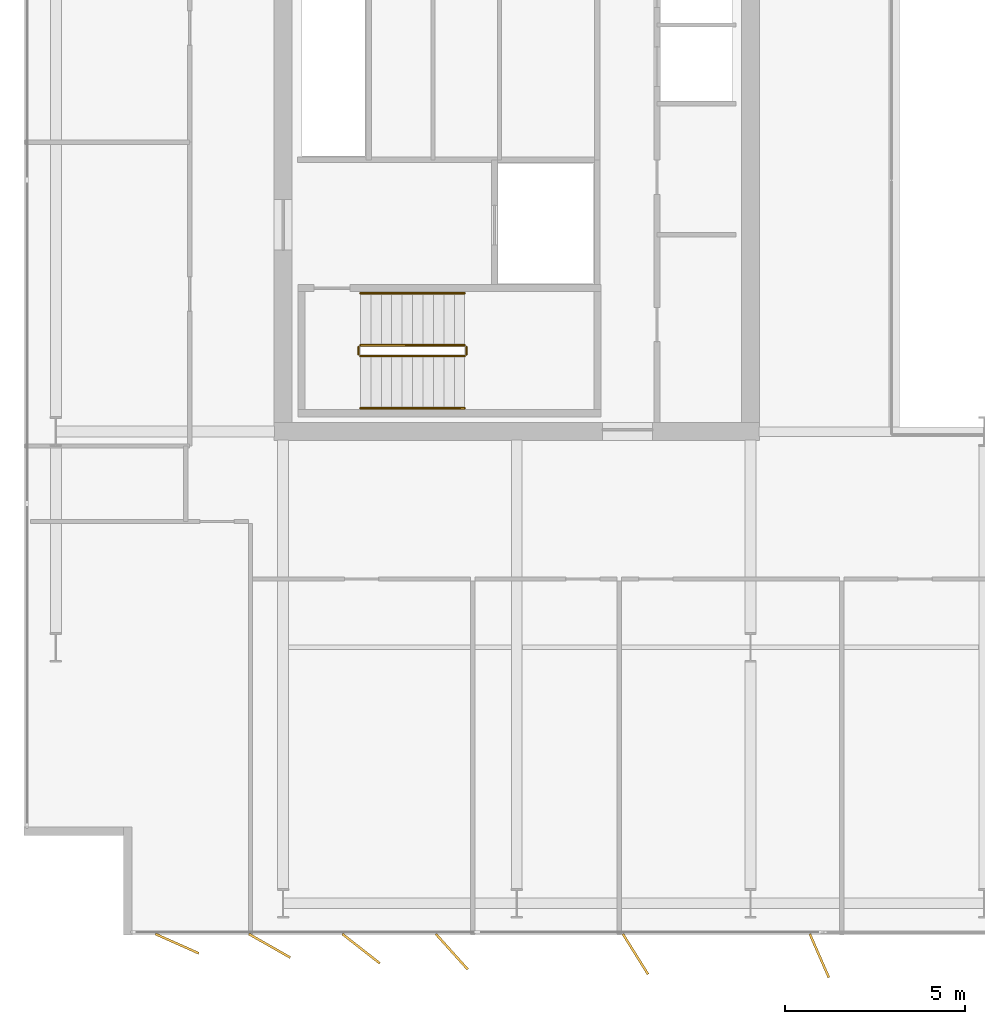
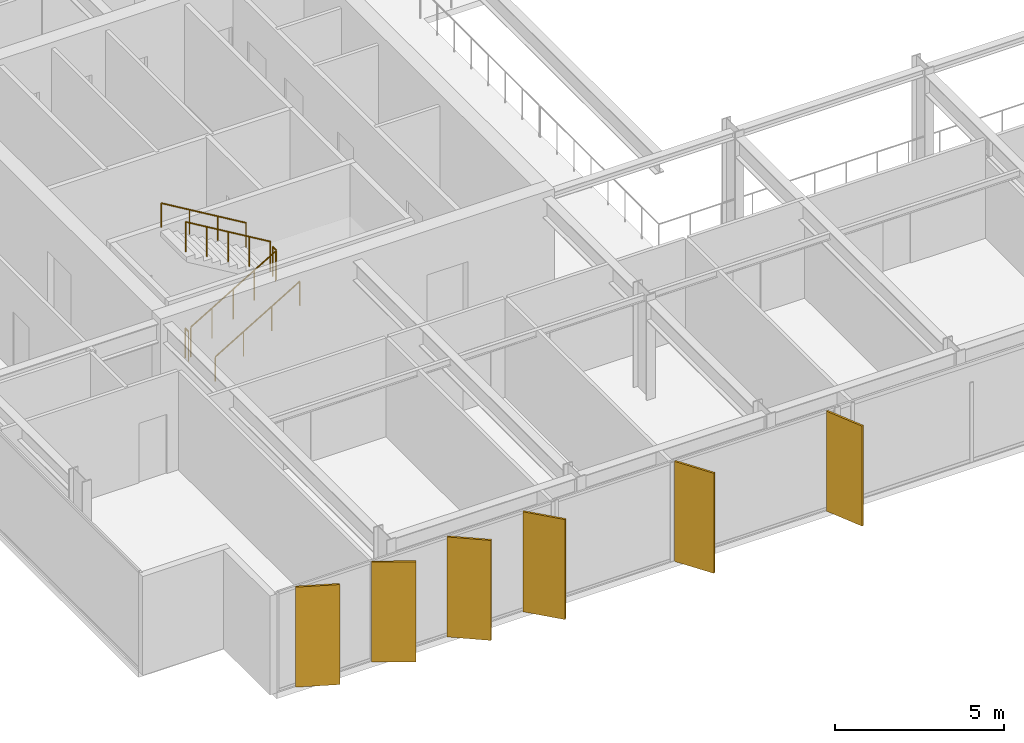
# One storey, part 20 of 23: 6 railings, 6 shading devices.
"""IFC4 building model written with IfcOpenShell, lengths in metres."""

from ifc_helpers import new_model, si_unit, direction, frame, origin, origin_2d, place, context, subcontext, project, spatial, rectangle, circle, extrude, material, layer, layer_set, type_object, element, save


model = new_model("IFC4")

# Units and contexts
model_context = context("Model", 3, precision=1e-05, world=origin(), true_north=direction((0.0, 1.0)))
body_context = subcontext(model_context, "Body", "Model", "MODEL_VIEW")
ifc_project = project(units=[si_unit("LENGTHUNIT", "METRE"), si_unit("AREAUNIT", "SQUARE_METRE"), si_unit("VOLUMEUNIT", "CUBIC_METRE"), si_unit("PLANEANGLEUNIT", "RADIAN"), si_unit("MASSUNIT", "GRAM", prefix="KILO")], contexts=[model_context])

# Site, building, storey
site_placement = place(None, origin())
site = spatial("IfcSite", under=ifc_project, at=site_placement, CompositionType="ELEMENT")
building_placement = place(site_placement, origin())
building = spatial("IfcBuilding", under=site, at=building_placement, Name="Putna Gate Headquarters", CompositionType="ELEMENT")
storey_placement = place(building_placement, frame((0.0, 0.0, 217.60009765625)))
storey = spatial("IfcBuildingStorey", under=building, at=storey_placement, Name="L54", CompositionType="ELEMENT", Elevation=217.60009765625)

# Railings
ifc_material_1 = material(Name="Powder-coated steel stair guardrail", Category="steel")
railing_type_1 = type_object("IfcRailingType", Name="RAIL-STAIR-GUARD-1100", PredefinedType="GUARDRAIL", material=ifc_material_1)
railing_1_placement = place(storey_placement, frame((15.14990234375, 21.10009765625, 0.172607421875)))
element("IfcRailing", 1, at=railing_1_placement, inside=storey, type_object=railing_type_1, Name="L54 ST1 stair guard 1", PredefinedType="GUARDRAIL", context=body_context, shape_type="SweptSolid", body=[
    extrude(circle(Radius=0.02392578125, at=origin_2d()), frame((0.0, 0.0, 1.076171875), z_axis=(0.859160404282, 0.0, 0.51170636083), x_axis=(0.0, 1.0, 0.0)), (0.0, 0.0, 1.0), 3.37548828125),
    extrude(circle(Radius=0.02099609375, at=origin_2d()), origin(), (0.0, 0.0, 1.0), 1.052001953125),
    extrude(circle(Radius=0.02099609375, at=origin_2d()), frame((0.72509765625, 0.0, 0.431884765625)), (0.0, 0.0, 1.0), 1.052001953125),
    extrude(circle(Radius=0.02099609375, at=origin_2d()), frame((1.4501953125, 0.0, 0.86376953125)), (0.0, 0.0, 1.0), 1.052001953125),
    extrude(circle(Radius=0.02099609375, at=origin_2d()), frame((2.175048828125, 0.0, 1.29541015625)), (0.0, 0.0, 1.0), 1.052001953125),
    extrude(circle(Radius=0.02099609375, at=origin_2d()), frame((2.900146484375, 0.0, 1.727294921875)), (0.0, 0.0, 1.0), 1.052001953125),
])
railing_2_placement = place(storey_placement, frame((18.10009765625, 21.14990234375, 1.89990234375)))
element("IfcRailing", 2, at=railing_2_placement, inside=storey, type_object=railing_type_1, Name="L54 ST1 stair guard 2", PredefinedType="GUARDRAIL", context=body_context, shape_type="SweptSolid", body=[
    extrude(circle(Radius=0.02392578125, at=origin_2d()), frame((0.0, 0.0, 1.076171875), z_axis=(0.0, 1.0, 0.0), x_axis=(-1.0, 0.0, 0.0)), (0.0, 0.0, 1.0), 0.2001953125),
    extrude(circle(Radius=0.02099609375, at=origin_2d()), origin(), (0.0, 0.0, 1.0), 1.052001953125),
    extrude(circle(Radius=0.02099609375, at=origin_2d()), frame((0.0, 0.2001953125, 0.0)), (0.0, 0.0, 1.0), 1.052001953125),
])
railing_3_placement = place(storey_placement, frame((18.050048828125, 21.39990234375, 2.072509765625)))
element("IfcRailing", 3, at=railing_3_placement, inside=storey, type_object=railing_type_1, Name="L54 ST1 stair guard 3", PredefinedType="GUARDRAIL", context=body_context, shape_type="SweptSolid", body=[
    extrude(circle(Radius=0.02392578125, at=origin_2d()), frame((0.0, 0.0, 1.076171875), z_axis=(-0.859160404282, 0.0, 0.51170636083), x_axis=(0.0, -1.0, 0.0)), (0.0, 0.0, 1.0), 3.37548828125),
    extrude(circle(Radius=0.02099609375, at=origin_2d()), origin(), (0.0, 0.0, 1.0), 1.052001953125),
    extrude(circle(Radius=0.02099609375, at=origin_2d()), frame((-0.72509765625, 0.0, 0.431884765625)), (0.0, 0.0, 1.0), 1.052001953125),
    extrude(circle(Radius=0.02099609375, at=origin_2d()), frame((-1.4501953125, 0.0, 0.86376953125)), (0.0, 0.0, 1.0), 1.052001953125),
    extrude(circle(Radius=0.02099609375, at=origin_2d()), frame((-2.175048828125, 0.0, 1.29541015625)), (0.0, 0.0, 1.0), 1.052001953125),
    extrude(circle(Radius=0.02099609375, at=origin_2d()), frame((-2.900146484375, 0.0, 1.727294921875)), (0.0, 0.0, 1.0), 1.052001953125),
])
railing_4_placement = place(storey_placement, frame((15.10009765625, 21.14990234375, 0.0)))
element("IfcRailing", 4, at=railing_4_placement, inside=storey, type_object=railing_type_1, Name="L54 ST1 stair guard 4", PredefinedType="GUARDRAIL", context=body_context, shape_type="SweptSolid", body=[
    extrude(circle(Radius=0.02392578125, at=origin_2d()), frame((0.0, 0.0, 1.076171875), z_axis=(0.0, 1.0, 0.0), x_axis=(-1.0, 0.0, 0.0)), (0.0, 0.0, 1.0), 0.2001953125),
    extrude(circle(Radius=0.02099609375, at=origin_2d()), origin(), (0.0, 0.0, 1.0), 1.052001953125),
    extrude(circle(Radius=0.02099609375, at=origin_2d()), frame((0.0, 0.2001953125, 0.0)), (0.0, 0.0, 1.0), 1.052001953125),
])
ifc_material_2 = material(Name="Brushed stainless steel handrail", Category="steel")
railing_type_2 = type_object("IfcRailingType", Name="RAIL-STAIR-HAND-900", PredefinedType="HANDRAIL", material=ifc_material_2)
railing_5_placement = place(storey_placement, frame((15.14990234375, 19.64990234375, 0.172607421875)))
element("IfcRailing", 5, at=railing_5_placement, inside=storey, type_object=railing_type_2, Name="L54 ST1 stair handrail 1", PredefinedType="HANDRAIL", context=body_context, shape_type="SweptSolid", body=[
    extrude(circle(Radius=0.02392578125, at=origin_2d()), frame((0.0, 0.0, 0.8759765625), z_axis=(0.859160404282, 0.0, 0.51170636083), x_axis=(0.0, 1.0, 0.0)), (0.0, 0.0, 1.0), 3.37548828125),
    extrude(circle(Radius=0.02099609375, at=origin_2d()), origin(), (0.0, 0.0, 1.0), 0.851806640625),
    extrude(circle(Radius=0.02099609375, at=origin_2d()), frame((0.966796875, 0.0, 0.57568359375)), (0.0, 0.0, 1.0), 0.851806640625),
    extrude(circle(Radius=0.02099609375, at=origin_2d()), frame((1.933349609375, 0.0, 1.151611328125)), (0.0, 0.0, 1.0), 0.851806640625),
    extrude(circle(Radius=0.02099609375, at=origin_2d()), frame((2.900146484375, 0.0, 1.727294921875)), (0.0, 0.0, 1.0), 0.851806640625),
])
railing_6_placement = place(storey_placement, frame((18.050048828125, 22.85009765625, 2.072509765625)))
element("IfcRailing", 6, at=railing_6_placement, inside=storey, type_object=railing_type_2, Name="L54 ST1 stair handrail 2", PredefinedType="HANDRAIL", context=body_context, shape_type="SweptSolid", body=[
    extrude(circle(Radius=0.02392578125, at=origin_2d()), frame((0.0, 0.0, 0.8759765625), z_axis=(-0.859160404282, 0.0, 0.51170636083), x_axis=(0.0, -1.0, 0.0)), (0.0, 0.0, 1.0), 3.37548828125),
    extrude(circle(Radius=0.02099609375, at=origin_2d()), origin(), (0.0, 0.0, 1.0), 0.851806640625),
    extrude(circle(Radius=0.02099609375, at=origin_2d()), frame((-0.966796875, 0.0, 0.57568359375)), (0.0, 0.0, 1.0), 0.851806640625),
    extrude(circle(Radius=0.02099609375, at=origin_2d()), frame((-1.933349609375, 0.0, 1.151611328125)), (0.0, 0.0, 1.0), 0.851806640625),
    extrude(circle(Radius=0.02099609375, at=origin_2d()), frame((-2.900146484375, 0.0, 1.727294921875)), (0.0, 0.0, 1.0), 0.851806640625),
])

# Shading devices
ifc_material_3 = material(Name="Anodised architectural bronze aluminium fin", Category="aluminium")
ifc_layer = layer(ifc_material_3, 0.06494140625)
ifc_layer_set = layer_set([ifc_layer], Name="Anodised architectural bronze aluminium fin")
shading_device_type = type_object("IfcShadingDeviceType", Name="SHADE-BRONZE-FIN-1320", PredefinedType="USERDEFINED", material=ifc_layer_set)
for number, where, z_axis, x_axis, name in (
    (7, (10.052978515625, 4.7568359375, -0.020263671875), (0.0, 0.0, 1.0), (0.913687379856, -0.40641773078, 0.0), "L54 Bronze Vertical Shading Fin S1"),
    (8, (12.623779296875, 4.69873046875, -0.020263671875), (0.0, 0.0, 1.0), (0.869322458298, -0.494245347472, 0.0), "L54 Bronze Vertical Shading Fin S2"),
    (9, (15.169677734375, 4.6181640625, -0.020263671875), (0.0, 0.0, 1.0), (0.787473187632, -0.616348909921, 0.0), "L54 Bronze Vertical Shading Fin S3"),
    (10, (17.691650390625, 4.534423828125, -0.020263671875), (0.0, 0.0, 1.0), (0.669130606359, -0.743144825477, 0.0), "L54 Bronze Vertical Shading Fin S4"),
    (11, (22.80029296875, 4.465576171875, -0.020263671875), (0.0, 0.0, 1.0), (0.530659123936, -0.847585331506, 0.0), "L54 Bronze Vertical Shading Fin S5"),
    (12, (27.914306640625, 4.42041015625, -0.020263671875), (0.0, 0.0, 1.0), (0.400668879095, -0.916222925562, 0.0), "L54 Bronze Vertical Shading Fin S6"),
):
    element("IfcShadingDevice", number, at=place(storey_placement, frame(where, z_axis=z_axis, x_axis=x_axis)), inside=storey, type_object=shading_device_type, Name=name, ObjectType="FIN", PredefinedType="USERDEFINED", context=body_context, shape_type="SweptSolid", body=[
        extrude(rectangle(XDim=1.320068359375, YDim=0.06494140625, at=origin_2d()), origin(), (0.0, 0.0, 1.0), 3.6201171875),
    ])

save(model, "model.ifc")
